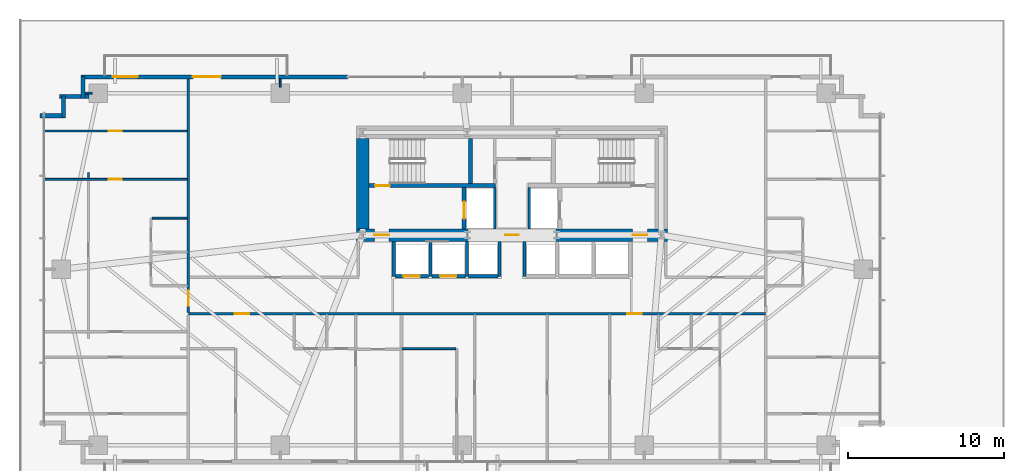
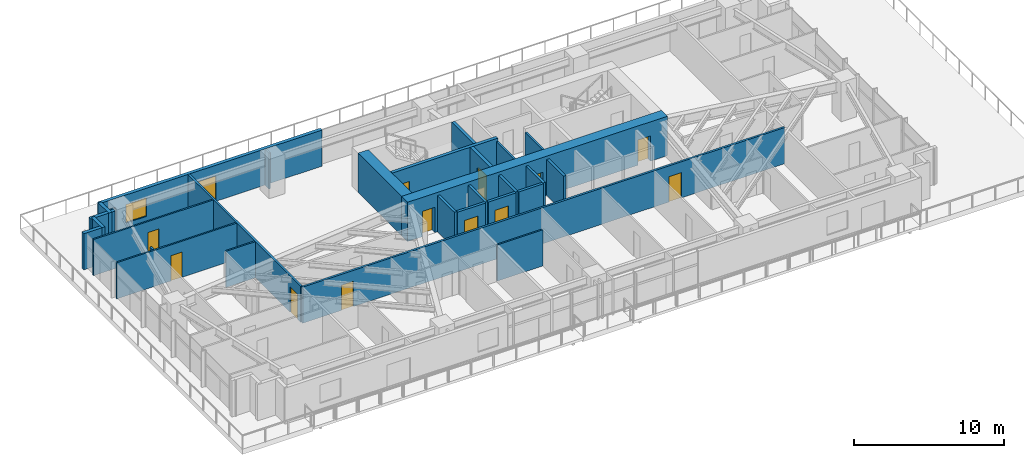
# One storey, part 20 of 26: 29 walls, 13 doors, 1 window, 14 openings.
"""IFC4 building model written with IfcOpenShell, lengths in metres."""

from ifc_helpers import new_model, si_unit, direction, frame, frame_2d, origin, place, context, subcontext, project, spatial, rectangle, extrude, source, transform, mapped, material, layer, layer_set, type_object, type_shapes, element, fill, save


model = new_model("IFC4")

# Units and contexts
model_context = context("Model", 3, precision=1e-05, world=origin(), true_north=direction((0.0, 1.0)))
body_context = subcontext(model_context, "Body", "Model", "MODEL_VIEW")
ifc_project = project(units=[si_unit("LENGTHUNIT", "METRE"), si_unit("AREAUNIT", "SQUARE_METRE"), si_unit("VOLUMEUNIT", "CUBIC_METRE"), si_unit("PLANEANGLEUNIT", "RADIAN"), si_unit("MASSUNIT", "GRAM", prefix="KILO")], contexts=[model_context])

# Site, building, storey
site_placement = place(None, origin())
site = spatial("IfcSite", under=ifc_project, at=site_placement, CompositionType="ELEMENT")
building_placement = place(site_placement, origin())
building = spatial("IfcBuilding", under=site, at=building_placement, Name="Astriad Promenade Condominiums", CompositionType="ELEMENT")
storey_placement = place(building_placement, frame((0.0, 0.0, 23.0)))
storey = spatial("IfcBuildingStorey", under=building, at=storey_placement, Name="L05", CompositionType="ELEMENT", Elevation=23.0)

# Wall, openings, doors
ifc_material_1 = material(Name="Concrete C80/95", Category="concrete")
ifc_layer_1 = layer(ifc_material_1, 0.800048828125)
ifc_layer_set_1 = layer_set([ifc_layer_1], Name="Concrete C80/95")
wall_type_1 = type_object("IfcWallType", Name="CW-SHEAR-800", PredefinedType="SHEAR", material=ifc_layer_set_1)
wall_1_placement = place(storey_placement, frame((26.0, 17.39990234375, 0.0), z_axis=(0.0, 0.0, 1.0), x_axis=(1.0, 0.0, 0.0)))
wall_1 = element("IfcWall", 1, at=wall_1_placement, inside=storey, type_object=wall_type_1, Name="CW-CORE-S-L05", PredefinedType="SHEAR", context=body_context, shape_type="SweptSolid", body=[
    extrude(rectangle(XDim=20.0, YDim=0.800048828125, at=frame_2d((10.0, 0.0))), origin(), (0.0, 0.0, 1.0), 3.199951171875),
])
opening_1_placement = place(wall_1_placement, frame((1.14990234375, 0.0, 0.0)))
opening_1 = element("IfcOpeningElement", 2, at=opening_1_placement, cuts=wall_1, Name="Opening FD90-ST-095", PredefinedType="OPENING", context=body_context, shape_type="SweptSolid", body=[
    extrude(rectangle(XDim=0.949951171875, YDim=2.06005859375, at=frame_2d((0.47509765625, 1.030029296875))), frame((0.0, 0.409912109375, 0.0), z_axis=(0.0, -1.0, 0.0), x_axis=(1.0, 0.0, 0.0)), (0.0, 0.0, 1.0), 0.820068359375),
])
opening_2_placement = place(wall_1_placement, frame((9.580078125, 0.0, 0.0)))
opening_2 = element("IfcOpeningElement", 3, at=opening_2_placement, cuts=wall_1, Name="Opening FD60-ULOW-085", PredefinedType="OPENING", context=body_context, shape_type="SweptSolid", body=[
    extrude(rectangle(XDim=0.85009765625, YDim=2.0, at=frame_2d((0.425048828125, 1.0))), frame((0.0, 0.409912109375, 0.0), z_axis=(0.0, -1.0, 0.0), x_axis=(1.0, 0.0, 0.0)), (0.0, 0.0, 1.0), 0.820068359375),
])
opening_3_placement = place(wall_1_placement, frame((17.75, 0.0, 0.0)))
opening_3 = element("IfcOpeningElement", 4, at=opening_3_placement, cuts=wall_1, Name="Opening FD90-ST-095", PredefinedType="OPENING", context=body_context, shape_type="SweptSolid", body=[
    extrude(rectangle(XDim=0.949951171875, YDim=2.06005859375, at=frame_2d((0.47509765625, 1.030029296875))), frame((0.0, 0.409912109375, 0.0), z_axis=(0.0, -1.0, 0.0), x_axis=(1.0, 0.0, 0.0)), (0.0, 0.0, 1.0), 0.820068359375),
])
ifc_material_2 = material(Name="Fire-Rated Hollow Metal Stair Door")
door_type_1 = type_object("IfcDoorType", Name="FD90-ST-095", OperationType="NOTDEFINED", PredefinedType="DOOR", material=ifc_material_2)
shared_shape_1 = source(origin(), body_context, "Body", "SweptSolid", [
    extrude(rectangle(XDim=0.949951171875, YDim=2.06005859375, at=frame_2d((0.47509765625, 1.030029296875))), frame((0.0, 0.02490234375, 0.0), z_axis=(0.0, -1.0, 0.0), x_axis=(1.0, 0.0, 0.0)), (0.0, 0.0, 1.0), 0.050048828125),
])
type_shapes(door_type_1, [shared_shape_1])
door_1_placement = place(opening_1_placement, origin())
door_1 = element("IfcDoor", 5, at=door_1_placement, inside=storey, type_object=door_type_1, Name="D-FFW-L05", OperationType="SINGLE_SWING_LEFT", OverallHeight=2.06005859375, OverallWidth=0.949951171875, PredefinedType="DOOR", context=body_context, shape_type="MappedRepresentation", body=[
    mapped(shared_shape_1, transform((0.0, 0.0, 0.0), scale=1.0)),
])
fill(opening_1, door_1)
door_2_placement = place(opening_3_placement, origin())
door_2 = element("IfcDoor", 6, at=door_2_placement, inside=storey, type_object=door_type_1, Name="D-FFE-L05", OperationType="SINGLE_SWING_RIGHT", OverallHeight=2.06005859375, OverallWidth=0.949951171875, PredefinedType="DOOR", context=body_context, shape_type="MappedRepresentation", body=[
    mapped(shared_shape_1, transform((0.0, 0.0, 0.0), scale=1.0)),
])
fill(opening_3, door_2)
ifc_material_3 = material(Name="Solid-Core Low-Headroom Fire Door")
door_type_2 = type_object("IfcDoorType", Name="FD60-ULOW-085", OperationType="NOTDEFINED", PredefinedType="DOOR", material=ifc_material_3)
shared_shape_2 = source(origin(), body_context, "Body", "SweptSolid", [
    extrude(rectangle(XDim=0.85009765625, YDim=2.0, at=frame_2d((0.425048828125, 1.0))), frame((0.0, 0.02490234375, 0.0), z_axis=(0.0, -1.0, 0.0), x_axis=(1.0, 0.0, 0.0)), (0.0, 0.0, 1.0), 0.050048828125),
])
type_shapes(door_type_2, [shared_shape_2])
door_3_placement = place(opening_2_placement, origin())
door_3 = element("IfcDoor", 7, at=door_3_placement, inside=storey, type_object=door_type_2, Name="D-CSL-L05", OperationType="SINGLE_SWING_RIGHT", OverallHeight=2.0, OverallWidth=0.85009765625, PredefinedType="DOOR", context=body_context, shape_type="MappedRepresentation", body=[
    mapped(shared_shape_2, transform((0.0, 0.0, 0.0), scale=1.0)),
])
fill(opening_2, door_3)

# Wall
wall_2_placement = place(storey_placement, frame((26.39990234375, 17.802001953125, 0.0), z_axis=(0.0, 0.0, 1.0), x_axis=(0.0, 1.0, 0.0)))
element("IfcWall", 8, at=wall_2_placement, inside=storey, type_object=wall_type_1, Name="CW-CORE-W-L05", PredefinedType="SHEAR", context=body_context, shape_type="SweptSolid", body=[
    extrude(rectangle(XDim=5.7958984375, YDim=0.800048828125, at=frame_2d((2.89794921875, 0.0))), origin(), (0.0, 0.0, 1.0), 3.199951171875),
])

# Wall, opening, door
ifc_material_4 = material(Name="Concrete C50/60", Category="concrete")
ifc_layer_2 = layer(ifc_material_4, 0.25)
ifc_layer_set_2 = layer_set([ifc_layer_2], Name="Concrete C50/60")
wall_type_2 = type_object("IfcWallType", Name="WALL-CORE-INT-250", PredefinedType="SOLIDWALL", material=ifc_layer_set_2)
wall_3_placement = place(storey_placement, frame((26.802001953125, 20.574951171875, 0.0), z_axis=(0.0, 0.0, 1.0), x_axis=(1.0, 0.0, 0.0)))
wall_3 = element("IfcWall", 9, at=wall_3_placement, inside=storey, type_object=wall_type_2, Name="CW-INT-H1-L05", PredefinedType="SOLIDWALL", context=body_context, shape_type="SweptSolid", body=[
    extrude(rectangle(XDim=8.14794921875, YDim=0.25, at=frame_2d((4.073974609375, 0.0))), origin(), (0.0, 0.0, 1.0), 3.199951171875),
])
opening_4_placement = place(wall_3_placement, frame((0.39794921875, 0.0, 0.0)))
opening_4 = element("IfcOpeningElement", 10, at=opening_4_placement, cuts=wall_3, Name="Opening FD90-ST-095", PredefinedType="OPENING", context=body_context, shape_type="SweptSolid", body=[
    extrude(rectangle(XDim=0.949951171875, YDim=2.06005859375, at=frame_2d((0.47509765625, 1.030029296875))), frame((0.0, 0.135009765625, 0.0), z_axis=(0.0, -1.0, 0.0), x_axis=(1.0, 0.0, 0.0)), (0.0, 0.0, 1.0), 0.27001953125),
])
door_4_placement = place(opening_4_placement, origin())
door_4 = element("IfcDoor", 11, at=door_4_placement, inside=storey, type_object=door_type_1, Name="D-ST1-L05", OperationType="SINGLE_SWING_LEFT", OverallHeight=2.06005859375, OverallWidth=0.949951171875, PredefinedType="DOOR", context=body_context, shape_type="MappedRepresentation", body=[
    mapped(shared_shape_1, transform((0.0, 0.0, 0.0), scale=1.0)),
])
fill(opening_4, door_4)

# Wall
wall_4_placement = place(storey_placement, frame((33.324951171875, 20.701904296875, 0.0), z_axis=(0.0, 0.0, 1.0), x_axis=(0.0, 1.0, 0.0)))
element("IfcWall", 12, at=wall_4_placement, inside=storey, type_object=wall_type_2, Name="CW-ST1-E-L05", PredefinedType="SOLIDWALL", context=body_context, shape_type="SweptSolid", body=[
    extrude(rectangle(XDim=2.89599609375, YDim=0.25, at=frame_2d((1.447998046875, 0.0))), origin(), (0.0, 0.0, 1.0), 3.199951171875),
])

# Wall, opening, door
wall_5_placement = place(storey_placement, frame((32.925048828125, 17.802001953125, 0.0), z_axis=(0.0, 0.0, 1.0), x_axis=(0.0, 1.0, 0.0)))
wall_5 = element("IfcWall", 13, at=wall_5_placement, inside=storey, type_object=wall_type_2, Name="CW-FFL1-W-L05", PredefinedType="SOLIDWALL", context=body_context, shape_type="SweptSolid", body=[
    extrude(rectangle(XDim=2.64599609375, YDim=0.25, at=frame_2d((1.322998046875, 0.0))), origin(), (0.0, 0.0, 1.0), 3.199951171875),
])
opening_5_placement = place(wall_5_placement, frame((0.64794921875, 0.0, 0.0)))
opening_5 = element("IfcOpeningElement", 14, at=opening_5_placement, cuts=wall_5, Name="Opening LD-FFL-1122", PredefinedType="OPENING", context=body_context, shape_type="SweptSolid", body=[
    extrude(rectangle(XDim=1.10009765625, YDim=2.080078125, at=frame_2d((0.550048828125, 1.0400390625))), frame((0.0, 0.135009765625, 0.0), z_axis=(0.0, -1.0, 0.0), x_axis=(1.0, 0.0, 0.0)), (0.0, 0.0, 1.0), 0.27001953125),
])
ifc_material_5 = material(Name="Brushed Stainless Steel Fire Elevator Landing Door", Category="steel")
door_type_3 = type_object("IfcDoorType", Name="LD-FFL-1122", OperationType="NOTDEFINED", PredefinedType="DOOR", material=ifc_material_5)
shared_shape_3 = source(origin(), body_context, "Body", "SweptSolid", [
    extrude(rectangle(XDim=1.10009765625, YDim=2.080078125, at=frame_2d((0.550048828125, 1.0400390625))), frame((0.0, 0.02490234375, 0.0), z_axis=(0.0, -1.0, 0.0), x_axis=(1.0, 0.0, 0.0)), (0.0, 0.0, 1.0), 0.050048828125),
])
type_shapes(door_type_3, [shared_shape_3])
door_5_placement = place(opening_5_placement, origin())
door_5 = element("IfcDoor", 15, at=door_5_placement, inside=storey, type_object=door_type_3, Name="Elevator Landing Door FFL-1 (L05)", OperationType="SLIDING_TO_LEFT", OverallHeight=2.080078125, OverallWidth=1.10009765625, PredefinedType="DOOR", context=body_context, shape_type="MappedRepresentation", body=[
    mapped(shared_shape_3, transform((0.0, 0.0, 0.0), scale=1.0)),
])
fill(opening_5, door_5)

# Walls
ifc_material_6 = material(Name="Fire-Rated Gypsum Partition")
ifc_layer_3 = layer(ifc_material_6, 0.159912109375)
ifc_layer_set_3 = layer_set([ifc_layer_3], Name="Fire-Rated Gypsum Partition")
wall_type_3 = type_object("IfcWallType", Name="WALL-CORR-160", PredefinedType="PARTITIONING", material=ifc_layer_set_3)
for number, where, z_axis, x_axis, name in (
    (16, (34.89990234375, 17.802001953125, 0.0), (0.0, 0.0, 1.0), (0.0, 1.0, 0.0), "CW-FFL1-E-L05"),
    (17, (37.10009765625, 17.802001953125, 0.0), (0.0, 0.0, 1.0), (0.0, 1.0, 0.0), "CW-FFL2-W-L05"),
):
    element("IfcWall", number, at=place(storey_placement, frame(where, z_axis=z_axis, x_axis=x_axis)), inside=storey, type_object=wall_type_3, Name=name, PredefinedType="PARTITIONING", context=body_context, shape_type="SweptSolid", body=[
        extrude(rectangle(XDim=2.64599609375, YDim=0.159912109375, at=frame_2d((1.322998046875, 0.0))), origin(), (0.0, 0.0, 1.0), 2.93994140625),
    ])

# Wall, openings, doors
wall_6_placement = place(storey_placement, frame((15.199951171875, 12.35009765625, 0.0), z_axis=(0.0, 0.0, 1.0), x_axis=(1.0, 0.0, 0.0)))
wall_6 = element("IfcWall", 18, at=wall_6_placement, inside=storey, type_object=wall_type_3, Name="PT-COR-S-L05", PredefinedType="PARTITIONING", context=body_context, shape_type="SweptSolid", body=[
    extrude(rectangle(XDim=37.10009765625, YDim=0.159912109375, at=frame_2d((18.550048828125, 0.0))), origin(), (0.0, 0.0, 1.0), 2.93994140625),
])
opening_6_placement = place(wall_6_placement, frame((2.964111328125, 0.0, 0.0)))
opening_6 = element("IfcOpeningElement", 19, at=opening_6_placement, cuts=wall_6, Name="Opening FD60-APT-095", PredefinedType="OPENING", context=body_context, shape_type="SweptSolid", body=[
    extrude(rectangle(XDim=0.949951171875, YDim=2.06005859375, at=frame_2d((0.47509765625, 1.030029296875))), frame((0.0, 0.08984375, 0.0), z_axis=(0.0, -1.0, 0.0), x_axis=(1.0, 0.0, 0.0)), (0.0, 0.0, 1.0), 0.179931640625),
])
opening_7_placement = place(wall_6_placement, frame((28.201904296875, 0.0, 0.0)))
opening_7 = element("IfcOpeningElement", 20, at=opening_7_placement, cuts=wall_6, Name="Opening FD60-APT-095", PredefinedType="OPENING", context=body_context, shape_type="SweptSolid", body=[
    extrude(rectangle(XDim=0.949951171875, YDim=2.06005859375, at=frame_2d((0.47509765625, 1.030029296875))), frame((0.0, 0.08984375, 0.0), z_axis=(0.0, -1.0, 0.0), x_axis=(1.0, 0.0, 0.0)), (0.0, 0.0, 1.0), 0.179931640625),
])
ifc_material_7 = material(Name="Solid-Core Acoustic Timber Residence Entry Door", Category="wood")
door_type_4 = type_object("IfcDoorType", Name="FD60-APT-095", OperationType="NOTDEFINED", PredefinedType="DOOR", material=ifc_material_7)
shared_shape_4 = source(origin(), body_context, "Body", "SweptSolid", [
    extrude(rectangle(XDim=0.949951171875, YDim=2.06005859375, at=frame_2d((0.47509765625, 1.030029296875))), frame((0.0, 0.02490234375, 0.0), z_axis=(0.0, -1.0, 0.0), x_axis=(1.0, 0.0, 0.0)), (0.0, 0.0, 1.0), 0.050048828125),
])
type_shapes(door_type_4, [shared_shape_4])
door_6_placement = place(opening_6_placement, origin())
door_6 = element("IfcDoor", 21, at=door_6_placement, inside=storey, type_object=door_type_4, Name="D-ENT-L05-S1", OperationType="SINGLE_SWING_LEFT", OverallHeight=2.06005859375, OverallWidth=0.949951171875, PredefinedType="DOOR", context=body_context, shape_type="MappedRepresentation", body=[
    mapped(shared_shape_4, transform((0.0, 0.0, 0.0), scale=1.0)),
])
fill(opening_6, door_6)
door_7_placement = place(opening_7_placement, origin())
door_7 = element("IfcDoor", 22, at=door_7_placement, inside=storey, type_object=door_type_4, Name="D-ENT-L05-S2", OperationType="SINGLE_SWING_LEFT", OverallHeight=2.06005859375, OverallWidth=0.949951171875, PredefinedType="DOOR", context=body_context, shape_type="MappedRepresentation", body=[
    mapped(shared_shape_4, transform((0.0, 0.0, 0.0), scale=1.0)),
])
fill(opening_7, door_7)

# Wall, opening, door
wall_7_placement = place(storey_placement, frame((15.199951171875, 12.431884765625, 0.0), z_axis=(0.0, 0.0, 1.0), x_axis=(0.0, 1.0, 0.0)))
wall_7 = element("IfcWall", 23, at=wall_7_placement, inside=storey, type_object=wall_type_3, Name="PT-COR-W-L05-S2", PredefinedType="PARTITIONING", context=body_context, shape_type="SweptSolid", body=[
    extrude(rectangle(XDim=15.006103515625, YDim=0.159912109375, at=frame_2d((7.5029296875, 0.0))), origin(), (0.0, 0.0, 1.0), 2.93994140625),
])
opening_8_placement = place(wall_7_placement, frame((0.428955078125, 0.0, 0.0)))
opening_8 = element("IfcOpeningElement", 24, at=opening_8_placement, cuts=wall_7, Name="Opening FD60-APT-095", PredefinedType="OPENING", context=body_context, shape_type="SweptSolid", body=[
    extrude(rectangle(XDim=0.949951171875, YDim=2.06005859375, at=frame_2d((0.47509765625, 1.030029296875))), frame((0.0, 0.08984375, 0.0), z_axis=(0.0, -1.0, 0.0), x_axis=(1.0, 0.0, 0.0)), (0.0, 0.0, 1.0), 0.179931640625),
])
door_8_placement = place(opening_8_placement, origin())
door_8 = element("IfcDoor", 25, at=door_8_placement, inside=storey, type_object=door_type_4, Name="D-ENT-L05-W1", OperationType="SINGLE_SWING_LEFT", OverallHeight=2.06005859375, OverallWidth=0.949951171875, PredefinedType="DOOR", context=body_context, shape_type="MappedRepresentation", body=[
    mapped(shared_shape_4, transform((0.0, 0.0, 0.0), scale=1.0)),
])
fill(opening_8, door_8)

# Walls
ifc_material_8 = material(Name="Precast concrete C50/60", Category="concrete")
ifc_layer_4 = layer(ifc_material_8, 0.260009765625)
ifc_layer_set_4 = layer_set([ifc_layer_4], Name="Precast concrete C50/60")
wall_type_4 = type_object("IfcWallType", Name="WALL-EXT-TWR-260", PredefinedType="STANDARD", material=ifc_layer_set_4)
for number, where, z_axis, x_axis, name in (
    (26, (5.669921875, 25.070068359375, 0.0), (0.0, 0.0, 1.0), (1.0, 0.0, 0.0), "W-SER-L05-04"),
    (27, (7.179931640625, 24.93994140625, 0.0), (0.0, 0.0, 1.0), (0.0, 1.0, 0.0), "W-SER-L05-05"),
):
    element("IfcWall", number, at=place(storey_placement, frame(where, z_axis=z_axis, x_axis=x_axis)), inside=storey, type_object=wall_type_4, Name=name, PredefinedType="STANDARD", context=body_context, shape_type="SweptSolid", body=[
        extrude(rectangle(XDim=1.39501953125, YDim=0.260009765625, at=frame_2d((0.697509765625, 0.0))), origin(), (0.0, 0.0, 1.0), 2.93994140625),
    ])
wall_8_placement = place(storey_placement, frame((6.919921875, 26.320068359375, 0.0), z_axis=(0.0, 0.0, 1.0), x_axis=(1.0, 0.0, 0.0)))
element("IfcWall", 28, at=wall_8_placement, inside=storey, type_object=wall_type_4, Name="W-SER-L05-06", PredefinedType="STANDARD", context=body_context, shape_type="SweptSolid", body=[
    extrude(rectangle(XDim=1.878173828125, YDim=0.260009765625, at=frame_2d((0.93896484375, 0.0))), origin(), (0.0, 0.0, 1.0), 2.93994140625),
])
wall_9_placement = place(storey_placement, frame((8.429931640625, 26.18994140625, 0.0), z_axis=(0.0, 0.0, 1.0), x_axis=(0.0, 1.0, 0.0)))
element("IfcWall", 29, at=wall_9_placement, inside=storey, type_object=wall_type_4, Name="W-SER-L05-07", PredefinedType="STANDARD", context=body_context, shape_type="SweptSolid", body=[
    extrude(rectangle(XDim=1.39501953125, YDim=0.260009765625, at=frame_2d((0.697509765625, 0.0))), origin(), (0.0, 0.0, 1.0), 2.93994140625),
])

# Wall, openings, door, window
wall_10_placement = place(storey_placement, frame((8.300048828125, 27.570068359375, 0.0), z_axis=(0.0, 0.0, 1.0), x_axis=(1.0, 0.0, 0.0)))
wall_10 = element("IfcWall", 30, at=wall_10_placement, inside=storey, type_object=wall_type_4, Name="W-EXT-L05-N1", PredefinedType="STANDARD", context=body_context, shape_type="SweptSolid", body=[
    extrude(rectangle(XDim=17.14990234375, YDim=0.260009765625, at=frame_2d((8.574951171875, 0.0))), origin(), (0.0, 0.0, 1.0), 2.93994140625),
])
opening_9_placement = place(wall_10_placement, frame((7.18798828125, 0.0, 0.0)))
opening_9 = element("IfcOpeningElement", 31, at=opening_9_placement, cuts=wall_10, Name="Opening BD-1822-SLD", PredefinedType="OPENING", context=body_context, shape_type="SweptSolid", body=[
    extrude(rectangle(XDim=1.800048828125, YDim=2.06005859375, at=frame_2d((0.89990234375, 1.030029296875))), frame((0.0, 0.139892578125, 0.0), z_axis=(0.0, -1.0, 0.0), x_axis=(1.0, 0.0, 0.0)), (0.0, 0.0, 1.0), 0.280029296875),
])
opening_10_placement = place(wall_10_placement, frame((2.050048828125, 0.0, 0.64990234375)))
opening_10 = element("IfcOpeningElement", 32, at=opening_10_placement, cuts=wall_10, Name="Opening WIN-TWR-1620", PredefinedType="OPENING", context=body_context, shape_type="SweptSolid", body=[
    extrude(rectangle(XDim=1.60009765625, YDim=1.5, at=frame_2d((0.800048828125, 0.75))), frame((0.0, 0.139892578125, 0.0), z_axis=(0.0, -1.0, 0.0), x_axis=(1.0, 0.0, 0.0)), (0.0, 0.0, 1.0), 0.280029296875),
])
ifc_material_9 = material(Name="Thermally Broken Aluminium Sliding Balcony Door", Category="aluminium")
door_type_5 = type_object("IfcDoorType", Name="BD-1822-SLD", OperationType="NOTDEFINED", PredefinedType="DOOR", material=ifc_material_9)
shared_shape_5 = source(origin(), body_context, "Body", "SweptSolid", [
    extrude(rectangle(XDim=1.800048828125, YDim=2.06005859375, at=frame_2d((0.89990234375, 1.030029296875))), frame((0.0, 0.02490234375, 0.0), z_axis=(0.0, -1.0, 0.0), x_axis=(1.0, 0.0, 0.0)), (0.0, 0.0, 1.0), 0.050048828125),
])
type_shapes(door_type_5, [shared_shape_5])
door_9_placement = place(opening_9_placement, origin())
door_9 = element("IfcDoor", 33, at=door_9_placement, inside=storey, type_object=door_type_5, Name="BD-L05-NW", OperationType="SLIDING_TO_LEFT", OverallHeight=2.06005859375, OverallWidth=1.800048828125, PredefinedType="DOOR", context=body_context, shape_type="MappedRepresentation", body=[
    mapped(shared_shape_5, transform((0.0, 0.0, 0.0), scale=1.0)),
])
fill(opening_9, door_9)
ifc_material_10 = material(Name="Dark Tinted Triple-Glazed Aluminium Window", Category="aluminium")
window_type = type_object("IfcWindowType", Name="WIN-TWR-1620", PartitioningType="SINGLE_PANEL", PredefinedType="WINDOW", material=ifc_material_10)
shared_shape_6 = source(origin(), body_context, "Body", "SweptSolid", [
    extrude(rectangle(XDim=1.60009765625, YDim=1.5, at=frame_2d((0.800048828125, 0.75))), frame((0.0, 0.030029296875, 0.0), z_axis=(0.0, -1.0, 0.0), x_axis=(1.0, 0.0, 0.0)), (0.0, 0.0, 1.0), 0.06005859375),
])
type_shapes(window_type, [shared_shape_6])
window_placement = place(opening_10_placement, origin())
window = element("IfcWindow", 34, at=window_placement, inside=storey, type_object=window_type, Name="WIN-L05-NW", OverallHeight=1.5, OverallWidth=1.60009765625, PartitioningType="SINGLE_PANEL", PredefinedType="WINDOW", context=body_context, shape_type="MappedRepresentation", body=[
    mapped(shared_shape_6, transform((0.0, 0.0, 0.0), scale=1.0)),
])
fill(opening_10, window)

# Walls
ifc_material_11 = material(Name="Acoustic Metal-Stud Gypsum Partition")
ifc_layer_5 = layer(ifc_material_11, 0.1201171875)
ifc_layer_set_5 = layer_set([ifc_layer_5], Name="Acoustic Metal-Stud Gypsum Partition")
wall_type_5 = type_object("IfcWallType", Name="WALL-PART-120", PredefinedType="PARTITIONING", material=ifc_layer_set_5)
wall_11_placement = place(storey_placement, frame((28.89794921875, 10.10009765625, 0.0), z_axis=(0.0, 0.0, 1.0), x_axis=(1.0, 0.0, 0.0)))
element("IfcWall", 35, at=wall_11_placement, inside=storey, type_object=wall_type_5, Name="PT-L05-S2-EXH", PredefinedType="PARTITIONING", context=body_context, shape_type="SweptSolid", body=[
    extrude(rectangle(XDim=3.488037109375, YDim=0.1201171875, at=frame_2d((1.744140625, 0.0))), origin(), (0.0, 0.0, 1.0), 2.93994140625),
])
wall_12_placement = place(storey_placement, frame((12.862060546875, 18.486083984375, 0.0), z_axis=(0.0, 0.0, 1.0), x_axis=(1.0, 0.0, 0.0)))
element("IfcWall", 36, at=wall_12_placement, inside=storey, type_object=wall_type_5, Name="PT-L05-W1-PN", PredefinedType="PARTITIONING", context=body_context, shape_type="SweptSolid", body=[
    extrude(rectangle(XDim=2.255859375, YDim=0.1201171875, at=frame_2d((1.1279296875, 0.0))), origin(), (0.0, 0.0, 1.0), 2.93994140625),
])

# Wall, opening, door
wall_13_placement = place(storey_placement, frame((5.8798828125, 24.090087890625, 0.0), z_axis=(0.0, 0.0, 1.0), x_axis=(1.0, 0.0, 0.0)))
wall_13 = element("IfcWall", 37, at=wall_13_placement, inside=storey, type_object=wall_type_5, Name="PT-L05-W1-B1", PredefinedType="PARTITIONING", context=body_context, shape_type="SweptSolid", body=[
    extrude(rectangle(XDim=9.238037109375, YDim=0.1201171875, at=frame_2d((4.619140625, 0.0))), origin(), (0.0, 0.0, 1.0), 2.93994140625),
])
opening_11_placement = place(wall_13_placement, frame((4.18505859375, 0.0, 0.0)))
opening_11 = element("IfcOpeningElement", 38, at=opening_11_placement, cuts=wall_13, Name="Opening D-INT-085", PredefinedType="OPENING", context=body_context, shape_type="SweptSolid", body=[
    extrude(rectangle(XDim=0.85009765625, YDim=2.050048828125, at=frame_2d((0.425048828125, 1.02490234375))), frame((0.0, 0.070068359375, 0.0), z_axis=(0.0, -1.0, 0.0), x_axis=(1.0, 0.0, 0.0)), (0.0, 0.0, 1.0), 0.14013671875),
])
ifc_material_12 = material(Name="Painted Solid-Core Timber Room Door", Category="wood")
door_type_6 = type_object("IfcDoorType", Name="D-INT-085", OperationType="NOTDEFINED", PredefinedType="DOOR", material=ifc_material_12)
shared_shape_7 = source(origin(), body_context, "Body", "SweptSolid", [
    extrude(rectangle(XDim=0.85009765625, YDim=2.050048828125, at=frame_2d((0.425048828125, 1.02490234375))), frame((0.0, 0.02490234375, 0.0), z_axis=(0.0, -1.0, 0.0), x_axis=(1.0, 0.0, 0.0)), (0.0, 0.0, 1.0), 0.050048828125),
])
type_shapes(door_type_6, [shared_shape_7])
door_10_placement = place(opening_11_placement, origin())
door_10 = element("IfcDoor", 39, at=door_10_placement, inside=storey, type_object=door_type_6, Name="D-BD1-L05-W1", OperationType="SINGLE_SWING_RIGHT", OverallHeight=2.050048828125, OverallWidth=0.85009765625, PredefinedType="DOOR", context=body_context, shape_type="MappedRepresentation", body=[
    mapped(shared_shape_7, transform((0.0, 0.0, 0.0), scale=1.0)),
])
fill(opening_11, door_10)

wall_14_placement = place(storey_placement, frame((5.8798828125, 20.98095703125, 0.0), z_axis=(0.0, 0.0, 1.0), x_axis=(1.0, 0.0, 0.0)))
wall_14 = element("IfcWall", 40, at=wall_14_placement, inside=storey, type_object=wall_type_5, Name="PT-L05-W1-WDN2", PredefinedType="PARTITIONING", context=body_context, shape_type="SweptSolid", body=[
    extrude(rectangle(XDim=9.238037109375, YDim=0.1201171875, at=frame_2d((4.619140625, 0.0))), origin(), (0.0, 0.0, 1.0), 2.93994140625),
])
opening_12_placement = place(wall_14_placement, frame((4.18505859375, 0.0, 0.0)))
opening_12 = element("IfcOpeningElement", 41, at=opening_12_placement, cuts=wall_14, Name="Opening D-INT-085", PredefinedType="OPENING", context=body_context, shape_type="SweptSolid", body=[
    extrude(rectangle(XDim=0.85009765625, YDim=2.050048828125, at=frame_2d((0.425048828125, 1.02490234375))), frame((0.0, 0.070068359375, 0.0), z_axis=(0.0, -1.0, 0.0), x_axis=(1.0, 0.0, 0.0)), (0.0, 0.0, 1.0), 0.14013671875),
])
door_11_placement = place(opening_12_placement, origin())
door_11 = element("IfcDoor", 42, at=door_11_placement, inside=storey, type_object=door_type_6, Name="D-WDN2-L05-W1", OperationType="SINGLE_SWING_LEFT", OverallHeight=2.050048828125, OverallWidth=0.85009765625, PredefinedType="DOOR", context=body_context, shape_type="MappedRepresentation", body=[
    mapped(shared_shape_7, transform((0.0, 0.0, 0.0), scale=1.0)),
])
fill(opening_12, door_11)

# Walls
wall_15_placement = place(storey_placement, frame((8.77490234375, 21.04296875, 0.0), z_axis=(0.0, 0.0, 1.0), x_axis=(0.0, 1.0, 0.0)))
element("IfcWall", 43, at=wall_15_placement, inside=storey, type_object=wall_type_5, Name="PT-L05-W1-WDV4-S3", PredefinedType="PARTITIONING", context=body_context, shape_type="SweptSolid", body=[
    extrude(rectangle(XDim=0.3779296875, YDim=0.1201171875, at=frame_2d((0.18896484375, 0.0))), origin(), (0.0, 0.0, 1.0), 2.93994140625),
])
wall_16_placement = place(storey_placement, frame((9.02001953125, 26.52001953125, 0.0), z_axis=(0.0, 0.0, 1.0), x_axis=(-1.0, 0.0, 0.0)))
element("IfcWall", 44, at=wall_16_placement, inside=storey, type_object=wall_type_5, Name="PT-PIL-L05-PC06-13", PredefinedType="PARTITIONING", context=body_context, shape_type="SweptSolid", body=[
    extrude(rectangle(XDim=0.4580078125, YDim=0.1201171875, at=frame_2d((0.22900390625, 0.0))), origin(), (0.0, 0.0, 1.0), 2.93994140625),
])
wall_17_placement = place(storey_placement, frame((21.10009765625, 26.89990234375, 0.0), z_axis=(0.0, 0.0, 1.0), x_axis=(0.0, 1.0, 0.0)))
element("IfcWall", 45, at=wall_17_placement, inside=storey, type_object=wall_type_5, Name="PT-PIL-L05-PC07-14", PredefinedType="PARTITIONING", context=body_context, shape_type="SweptSolid", body=[
    extrude(rectangle(XDim=0.5380859375, YDim=0.1201171875, at=frame_2d((0.26904296875, 0.0))), origin(), (0.0, 0.0, 1.0), 2.93994140625),
])
ifc_material_13 = material(Name="Gypsum Shaftliner Assembly")
ifc_layer_6 = layer(ifc_material_13, 0.199951171875)
ifc_layer_set_6 = layer_set([ifc_layer_6], Name="Gypsum Shaftliner Assembly")
wall_type_6 = type_object("IfcWallType", Name="WALL-SHAFT-200", PredefinedType="PARTITIONING", material=ifc_layer_set_6)
for number, where, z_axis, x_axis, name in (
    (46, (28.39990234375, 14.75, 0.0), (0.0, 0.0, 1.0), (0.0, 1.0, 0.0), "PL-W-OUT-L05"),
    (47, (30.75, 14.75, 0.0), (0.0, 0.0, 1.0), (0.0, 1.0, 0.0), "PL-L-DIV-L05"),
    (48, (33.10009765625, 14.75, 0.0), (0.0, 0.0, 1.0), (0.0, 1.0, 0.0), "PL-LM-DIV-L05"),
):
    element("IfcWall", number, at=place(storey_placement, frame(where, z_axis=z_axis, x_axis=x_axis)), inside=storey, type_object=wall_type_6, Name=name, PredefinedType="PARTITIONING", context=body_context, shape_type="SweptSolid", body=[
        extrude(rectangle(XDim=2.248046875, YDim=0.199951171875, at=frame_2d((1.1240234375, 0.0))), origin(), (0.0, 0.0, 1.0), 2.93994140625),
    ])

# Wall, opening, door
wall_18_placement = place(storey_placement, frame((28.501953125, 14.75, 0.0), z_axis=(0.0, 0.0, 1.0), x_axis=(1.0, 0.0, 0.0)))
wall_18 = element("IfcWall", 49, at=wall_18_placement, inside=storey, type_object=wall_type_6, Name="PL-L-FRT-L05", PredefinedType="PARTITIONING", context=body_context, shape_type="SweptSolid", body=[
    extrude(rectangle(XDim=2.14599609375, YDim=0.199951171875, at=frame_2d((1.072998046875, 0.0))), origin(), (0.0, 0.0, 1.0), 2.93994140625),
])
opening_13_placement = place(wall_18_placement, frame((0.52294921875, 0.0, 0.0)))
opening_13 = element("IfcOpeningElement", 50, at=opening_13_placement, cuts=wall_18, Name="Opening LD-PL-10522", PredefinedType="OPENING", context=body_context, shape_type="SweptSolid", body=[
    extrude(rectangle(XDim=1.050048828125, YDim=2.080078125, at=frame_2d((0.52490234375, 1.0400390625))), frame((0.0, 0.10986328125, 0.0), z_axis=(0.0, -1.0, 0.0), x_axis=(1.0, 0.0, 0.0)), (0.0, 0.0, 1.0), 0.219970703125),
])
ifc_material_14 = material(Name="Brushed Bronze Passenger Elevator Landing Door")
door_type_7 = type_object("IfcDoorType", Name="LD-PL-10522", OperationType="NOTDEFINED", PredefinedType="DOOR", material=ifc_material_14)
shared_shape_8 = source(origin(), body_context, "Body", "SweptSolid", [
    extrude(rectangle(XDim=1.050048828125, YDim=2.080078125, at=frame_2d((0.52490234375, 1.0400390625))), frame((0.0, 0.02490234375, 0.0), z_axis=(0.0, -1.0, 0.0), x_axis=(1.0, 0.0, 0.0)), (0.0, 0.0, 1.0), 0.050048828125),
])
type_shapes(door_type_7, [shared_shape_8])
door_12_placement = place(opening_13_placement, origin())
door_12 = element("IfcDoor", 51, at=door_12_placement, inside=storey, type_object=door_type_7, Name="Elevator Landing Door PL-L1 (L05)", OperationType="SLIDING_TO_LEFT", OverallHeight=2.080078125, OverallWidth=1.050048828125, PredefinedType="DOOR", context=body_context, shape_type="MappedRepresentation", body=[
    mapped(shared_shape_8, transform((0.0, 0.0, 0.0), scale=1.0)),
])
fill(opening_13, door_12)

wall_19_placement = place(storey_placement, frame((30.85205078125, 14.75, 0.0), z_axis=(0.0, 0.0, 1.0), x_axis=(1.0, 0.0, 0.0)))
wall_19 = element("IfcWall", 52, at=wall_19_placement, inside=storey, type_object=wall_type_6, Name="PL-L-FRT-L05-S2", PredefinedType="PARTITIONING", context=body_context, shape_type="SweptSolid", body=[
    extrude(rectangle(XDim=2.14599609375, YDim=0.199951171875, at=frame_2d((1.072998046875, 0.0))), origin(), (0.0, 0.0, 1.0), 2.93994140625),
])
opening_14_placement = place(wall_19_placement, frame((0.52294921875, 0.0, 0.0)))
opening_14 = element("IfcOpeningElement", 53, at=opening_14_placement, cuts=wall_19, Name="Opening LD-PL-10522", PredefinedType="OPENING", context=body_context, shape_type="SweptSolid", body=[
    extrude(rectangle(XDim=1.050048828125, YDim=2.080078125, at=frame_2d((0.52490234375, 1.0400390625))), frame((0.0, 0.10986328125, 0.0), z_axis=(0.0, -1.0, 0.0), x_axis=(1.0, 0.0, 0.0)), (0.0, 0.0, 1.0), 0.219970703125),
])
door_13_placement = place(opening_14_placement, origin())
door_13 = element("IfcDoor", 54, at=door_13_placement, inside=storey, type_object=door_type_7, Name="Elevator Landing Door PL-L2 (L05)", OperationType="SLIDING_TO_RIGHT", OverallHeight=2.080078125, OverallWidth=1.050048828125, PredefinedType="DOOR", context=body_context, shape_type="MappedRepresentation", body=[
    mapped(shared_shape_8, transform((0.0, 0.0, 0.0), scale=1.0)),
])
fill(opening_14, door_13)

# Walls
wall_20_placement = place(storey_placement, frame((35.199951171875, 14.75, 0.0), z_axis=(0.0, 0.0, 1.0), x_axis=(0.0, 1.0, 0.0)))
element("IfcWall", 55, at=wall_20_placement, inside=storey, type_object=wall_type_6, Name="PL-M1-E-L05", PredefinedType="PARTITIONING", context=body_context, shape_type="SweptSolid", body=[
    extrude(rectangle(XDim=2.248046875, YDim=0.199951171875, at=frame_2d((1.1240234375, 0.0))), origin(), (0.0, 0.0, 1.0), 2.93994140625),
])
wall_21_placement = place(storey_placement, frame((33.201904296875, 14.75, 0.0), z_axis=(0.0, 0.0, 1.0), x_axis=(1.0, 0.0, 0.0)))
element("IfcWall", 56, at=wall_21_placement, inside=storey, type_object=wall_type_6, Name="PL-M1-F-L05", PredefinedType="PARTITIONING", context=body_context, shape_type="SweptSolid", body=[
    extrude(rectangle(XDim=1.89599609375, YDim=0.199951171875, at=frame_2d((0.947998046875, 0.0))), origin(), (0.0, 0.0, 1.0), 2.93994140625),
])
wall_22_placement = place(storey_placement, frame((36.800048828125, 14.75, 0.0), z_axis=(0.0, 0.0, 1.0), x_axis=(0.0, 1.0, 0.0)))
element("IfcWall", 57, at=wall_22_placement, inside=storey, type_object=wall_type_6, Name="PL-M2-W-L05", PredefinedType="PARTITIONING", context=body_context, shape_type="SweptSolid", body=[
    extrude(rectangle(XDim=2.248046875, YDim=0.199951171875, at=frame_2d((1.1240234375, 0.0))), origin(), (0.0, 0.0, 1.0), 2.93994140625),
])

save(model, "model.ifc")
